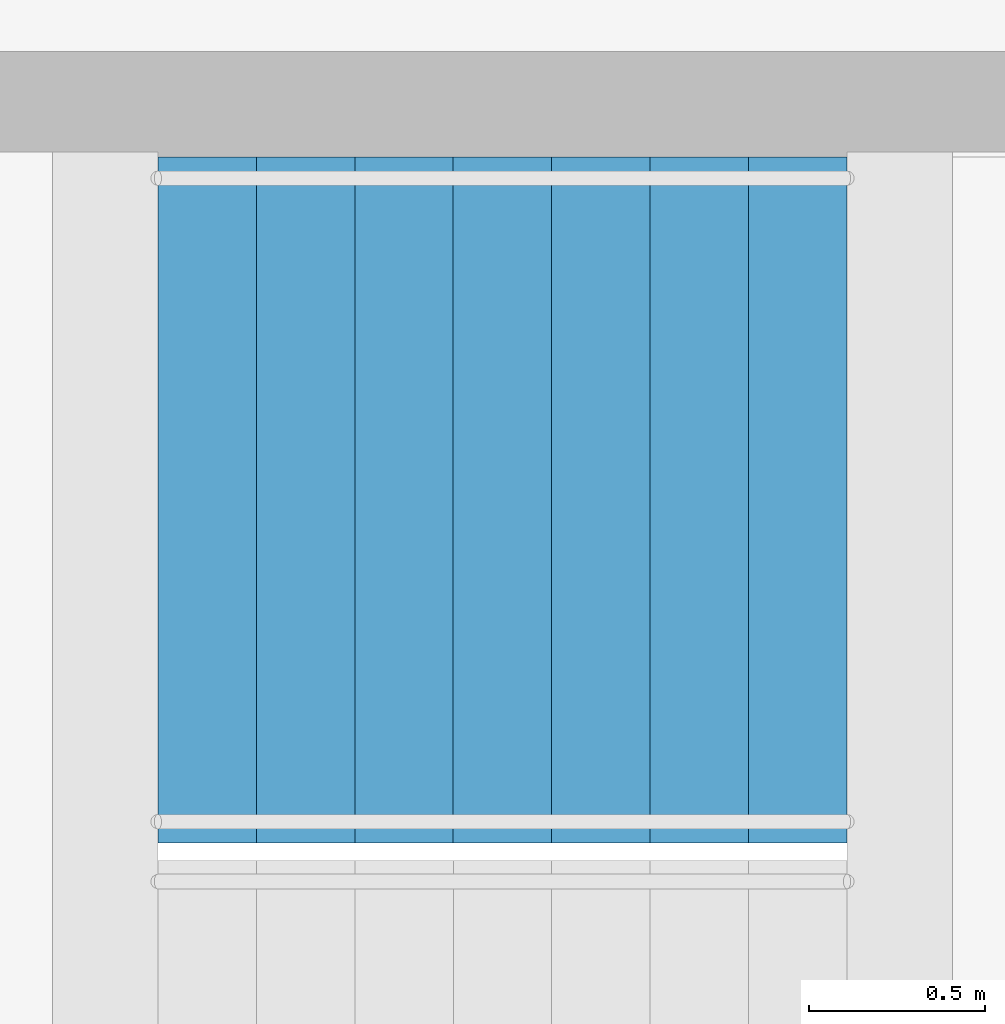
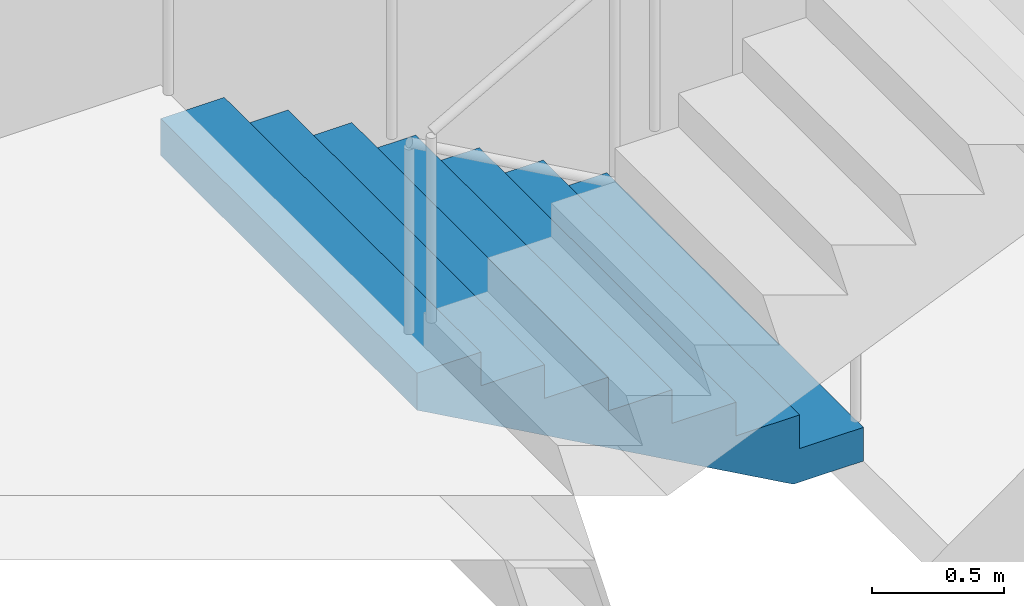
# One storey, part 24 of 26: 1 stair flight, 1 element without a shape of its own.
"""IFC4 building model written with IfcOpenShell, lengths in metres."""

from ifc_helpers import new_model, si_unit, direction, frame, origin, place, context, subcontext, project, spatial, triangles, material, type_object, element, aggregate, save


model = new_model("IFC4")

# Units and contexts
model_context = context("Model", 3, precision=1e-05, world=origin(), true_north=direction((0.0, 1.0)))
body_context = subcontext(model_context, "Body", "Model", "MODEL_VIEW")
ifc_project = project(units=[si_unit("LENGTHUNIT", "METRE"), si_unit("AREAUNIT", "SQUARE_METRE"), si_unit("VOLUMEUNIT", "CUBIC_METRE"), si_unit("PLANEANGLEUNIT", "RADIAN"), si_unit("MASSUNIT", "GRAM", prefix="KILO")], contexts=[model_context])

# Site, building, storey
site_placement = place(None, origin())
site = spatial("IfcSite", under=ifc_project, at=site_placement, CompositionType="ELEMENT")
building_placement = place(site_placement, origin())
building = spatial("IfcBuilding", under=site, at=building_placement, Name="Orbita Commons", CompositionType="ELEMENT")
storey_placement = place(building_placement, frame((0.0, 0.0, 11.0)))
storey = spatial("IfcBuildingStorey", under=building, at=storey_placement, Name="L02", CompositionType="ELEMENT", Elevation=11.0)

# Stair, stair flight
ifc_material_1 = material(Name="Precast concrete C40/50", Category="concrete")
stair_type = type_object("IfcStairType", Name="Exit stair S2 4 flights 8 risers 156", PredefinedType="HALF_TURN_STAIR", material=ifc_material_1)
stair_placement = place(storey_placement, origin())
stair = element("IfcStair", 1, at=stair_placement, inside=storey, type_object=stair_type, Name="Exit stair S2 L02", PredefinedType="HALF_TURN_STAIR")
ifc_material_2 = material(Name="Precast concrete C40/50", Category="concrete")
stair_flight_type = type_object("IfcStairFlightType", Name="Stair flight 8 risers 156 x 280", PredefinedType="STRAIGHT", material=ifc_material_2)
stair_flight_placement = place(storey_placement, frame((63.550048828125, 29.27490234375, 0.0), z_axis=(0.0, 0.0, 1.0), x_axis=(-1.0, 0.0, 0.0)))
stair_flight = element("IfcStairFlight", 2, at=stair_flight_placement, type_object=stair_flight_type, Name="S2 flight 1", NumberOfRisers=8, NumberOfTreads=7, PredefinedType="STRAIGHT", RiserHeight=0.15625, TreadLength=0.28, context=body_context, shape_type="Tessellation", body=[
    triangles([(0.0, 0.974976, 0.0), (0.0, 0.974976, 0.019531), (0.0, 0.81248, 0.019531), (0.0, 0.81248, 0.0), (0.0, 0.649984, 0.019531), (0.0, 0.649984, 0.0), (0.0, 0.487488, 0.019531), (0.0, 0.487488, 0.0), (0.0, 0.324992, 0.019531), (0.0, 0.324992, 0.0), (0.0, 0.162496, 0.019531), (0.0, 0.162496, 0.0), (0.0, 0.0, 0.019531), (0.0, 0.0, 0.0), (0.0, -0.162496, 0.019531), (0.0, -0.162496, 0.0), (0.0, -0.324992, 0.019531), (0.0, -0.324992, 0.0), (0.0, -0.487488, 0.019531), (0.0, -0.487488, 0.0), (0.0, -0.649984, 0.019531), (0.0, -0.649984, 0.0), (0.0, -0.81248, 0.019531), (0.0, -0.81248, 0.0), (0.0, -0.974976, 0.019531), (0.0, -0.974976, 0.0), (0.0, 0.974976, 0.039062), (0.0, 0.81248, 0.039062), (0.0, 0.649984, 0.039062), (0.0, 0.487488, 0.039062), (0.0, 0.324992, 0.039062), (0.0, 0.162496, 0.039062), (0.0, 0.0, 0.039062), (0.0, -0.162496, 0.039062), (0.0, -0.324992, 0.039062), (0.0, -0.487488, 0.039062), (0.0, -0.649984, 0.039062), (0.0, -0.81248, 0.039062), (0.0, -0.974976, 0.039062), (0.0, 0.974976, 0.058594), (0.0, 0.81248, 0.058594), (0.0, 0.649984, 0.058594), (0.0, 0.487488, 0.058594), (0.0, 0.324992, 0.058594), (0.0, 0.162496, 0.058594), (0.0, 0.0, 0.058594), (0.0, -0.162496, 0.058594), (0.0, -0.324992, 0.058594), (0.0, -0.487488, 0.058594), (0.0, -0.649984, 0.058594), (0.0, -0.81248, 0.058594), (0.0, -0.974976, 0.058594), (0.0, 0.974976, 0.078125), (0.0, 0.81248, 0.078125), (0.0, 0.649984, 0.078125), (0.0, 0.487488, 0.078125), (0.0, 0.324992, 0.078125), (0.0, 0.162496, 0.078125), (0.0, 0.0, 0.078125), (0.0, -0.162496, 0.078125), (0.0, -0.324992, 0.078125), (0.0, -0.487488, 0.078125), (0.0, -0.649984, 0.078125), (0.0, -0.81248, 0.078125), (0.0, -0.974976, 0.078125), (0.0, 0.974976, 0.097656), (0.0, 0.81248, 0.097656), (0.0, 0.649984, 0.097656), (0.0, 0.487488, 0.097656), (0.0, 0.324992, 0.097656), (0.0, 0.162496, 0.097656), (0.0, 0.0, 0.097656), (0.0, -0.162496, 0.097656), (0.0, -0.324992, 0.097656), (0.0, -0.487488, 0.097656), (0.0, -0.649984, 0.097656), (0.0, -0.81248, 0.097656), (0.0, -0.974976, 0.097656), (0.0, 0.974976, 0.117188), (0.0, 0.81248, 0.117188), (0.0, 0.649984, 0.117188), (0.0, 0.487488, 0.117188), (0.0, 0.324992, 0.117188), (0.0, 0.162496, 0.117188), (0.0, 0.0, 0.117188), (0.0, -0.162496, 0.117188), (0.0, -0.324992, 0.117188), (0.0, -0.487488, 0.117188), (0.0, -0.649984, 0.117188), (0.0, -0.81248, 0.117188), (0.0, -0.974976, 0.117188), (0.0, 0.974976, 0.136719), (0.0, 0.81248, 0.136719), (0.0, 0.649984, 0.136719), (0.0, 0.487488, 0.136719), (0.0, 0.324992, 0.136719), (0.0, 0.162496, 0.136719), (0.0, 0.0, 0.136719), (0.0, -0.162496, 0.136719), (0.0, -0.324992, 0.136719), (0.0, -0.487488, 0.136719), (0.0, -0.649984, 0.136719), (0.0, -0.81248, 0.136719), (0.0, -0.974976, 0.136719), (0.0, 0.974976, 0.15625), (0.0, 0.81248, 0.15625), (0.0, 0.649984, 0.15625), (0.0, 0.487488, 0.15625), (0.0, 0.324992, 0.15625), (0.0, 0.162496, 0.15625), (0.0, 0.0, 0.15625), (0.0, -0.162496, 0.15625), (0.0, -0.324992, 0.15625), (0.0, -0.487488, 0.15625), (0.0, -0.649984, 0.15625), (0.0, -0.81248, 0.15625), (0.0, -0.974976, 0.15625), (0.28, 0.974976, 0.15625), (0.28, 0.81248, 0.15625), (0.28, 0.649984, 0.15625), (0.28, 0.487488, 0.15625), (0.28, 0.324992, 0.15625), (0.28, 0.162496, 0.15625), (0.28, 0.0, 0.15625), (0.28, -0.162496, 0.15625), (0.28, -0.324992, 0.15625), (0.28, -0.487488, 0.15625), (0.28, -0.649984, 0.15625), (0.28, -0.81248, 0.15625), (0.28, -0.974976, 0.15625), (0.28, 0.974976, 0.3125), (0.28, 0.81248, 0.3125), (0.28, 0.649984, 0.3125), (0.28, 0.487488, 0.3125), (0.28, 0.324992, 0.3125), (0.28, 0.162496, 0.3125), (0.28, 0.0, 0.3125), (0.28, -0.162496, 0.3125), (0.28, -0.324992, 0.3125), (0.28, -0.487488, 0.3125), (0.28, -0.649984, 0.3125), (0.28, -0.81248, 0.3125), (0.28, -0.974976, 0.3125), (0.56, 0.974976, 0.3125), (0.56, 0.81248, 0.3125), (0.56, 0.649984, 0.3125), (0.56, 0.487488, 0.3125), (0.56, 0.324992, 0.3125), (0.56, 0.162496, 0.3125), (0.56, 0.0, 0.3125), (0.56, -0.162496, 0.3125), (0.56, -0.324992, 0.3125), (0.56, -0.487488, 0.3125), (0.56, -0.649984, 0.3125), (0.56, -0.81248, 0.3125), (0.56, -0.974976, 0.3125), (0.56, 0.974976, 0.46875), (0.56, 0.81248, 0.46875), (0.56, 0.649984, 0.46875), (0.56, 0.487488, 0.46875), (0.56, 0.324992, 0.46875), (0.56, 0.162496, 0.46875), (0.56, 0.0, 0.46875), (0.56, -0.162496, 0.46875), (0.56, -0.324992, 0.46875), (0.56, -0.487488, 0.46875), (0.56, -0.649984, 0.46875), (0.56, -0.81248, 0.46875), (0.56, -0.974976, 0.46875), (0.84, 0.974976, 0.46875), (0.84, 0.81248, 0.46875), (0.84, 0.649984, 0.46875), (0.84, 0.487488, 0.46875), (0.84, 0.324992, 0.46875), (0.84, 0.162496, 0.46875), (0.84, 0.0, 0.46875), (0.84, -0.162496, 0.46875), (0.84, -0.324992, 0.46875), (0.84, -0.487488, 0.46875), (0.84, -0.649984, 0.46875), (0.84, -0.81248, 0.46875), (0.84, -0.974976, 0.46875), (0.84, 0.974976, 0.625), (0.84, 0.81248, 0.625), (0.84, 0.649984, 0.625), (0.84, 0.487488, 0.625), (0.84, 0.324992, 0.625), (0.84, 0.162496, 0.625), (0.84, 0.0, 0.625), (0.84, -0.162496, 0.625), (0.84, -0.324992, 0.625), (0.84, -0.487488, 0.625), (0.84, -0.649984, 0.625), (0.84, -0.81248, 0.625), (0.84, -0.974976, 0.625), (1.12, 0.974976, 0.625), (1.12, 0.81248, 0.625), (1.12, 0.649984, 0.625), (1.12, 0.487488, 0.625), (1.12, 0.324992, 0.625), (1.12, 0.162496, 0.625), (1.12, 0.0, 0.625), (1.12, -0.162496, 0.625), (1.12, -0.324992, 0.625), (1.12, -0.487488, 0.625), (1.12, -0.649984, 0.625), (1.12, -0.81248, 0.625), (1.12, -0.974976, 0.625), (1.12, 0.974976, 0.78125), (1.12, 0.81248, 0.78125), (1.12, 0.649984, 0.78125), (1.12, 0.487488, 0.78125), (1.12, 0.324992, 0.78125), (1.12, 0.162496, 0.78125), (1.12, 0.0, 0.78125), (1.12, -0.162496, 0.78125), (1.12, -0.324992, 0.78125), (1.12, -0.487488, 0.78125), (1.12, -0.649984, 0.78125), (1.12, -0.81248, 0.78125), (1.12, -0.974976, 0.78125), (1.4, 0.974976, 0.78125), (1.4, 0.81248, 0.78125), (1.4, 0.649984, 0.78125), (1.4, 0.487488, 0.78125), (1.4, 0.324992, 0.78125), (1.4, 0.162496, 0.78125), (1.4, 0.0, 0.78125), (1.4, -0.162496, 0.78125), (1.4, -0.324992, 0.78125), (1.4, -0.487488, 0.78125), (1.4, -0.649984, 0.78125), (1.4, -0.81248, 0.78125), (1.4, -0.974976, 0.78125), (1.4, 0.974976, 0.9375), (1.4, 0.81248, 0.9375), (1.4, 0.649984, 0.9375), (1.4, 0.487488, 0.9375), (1.4, 0.324992, 0.9375), (1.4, 0.162496, 0.9375), (1.4, 0.0, 0.9375), (1.4, -0.162496, 0.9375), (1.4, -0.324992, 0.9375), (1.4, -0.487488, 0.9375), (1.4, -0.649984, 0.9375), (1.4, -0.81248, 0.9375), (1.4, -0.974976, 0.9375), (1.68, 0.974976, 0.9375), (1.68, 0.81248, 0.9375), (1.68, 0.649984, 0.9375), (1.68, 0.487488, 0.9375), (1.68, 0.324992, 0.9375), (1.68, 0.162496, 0.9375), (1.68, 0.0, 0.9375), (1.68, -0.162496, 0.9375), (1.68, -0.324992, 0.9375), (1.68, -0.487488, 0.9375), (1.68, -0.649984, 0.9375), (1.68, -0.81248, 0.9375), (1.68, -0.974976, 0.9375), (1.68, 0.974976, 1.09375), (1.68, 0.81248, 1.09375), (1.68, 0.649984, 1.09375), (1.68, 0.487488, 1.09375), (1.68, 0.324992, 1.09375), (1.68, 0.162496, 1.09375), (1.68, 0.0, 1.09375), (1.68, -0.162496, 1.09375), (1.68, -0.324992, 1.09375), (1.68, -0.487488, 1.09375), (1.68, -0.649984, 1.09375), (1.68, -0.81248, 1.09375), (1.68, -0.974976, 1.09375), (1.96, 0.974976, 1.09375), (1.96, 0.81248, 1.09375), (1.96, 0.649984, 1.09375), (1.96, 0.487488, 1.09375), (1.96, 0.324992, 1.09375), (1.96, 0.162496, 1.09375), (1.96, 0.0, 1.09375), (1.96, -0.162496, 1.09375), (1.96, -0.324992, 1.09375), (1.96, -0.487488, 1.09375), (1.96, -0.649984, 1.09375), (1.96, -0.81248, 1.09375), (1.96, -0.974976, 1.09375), (1.96, 0.974976, 1.072292), (1.96, 0.81248, 1.072292), (1.96, 0.649984, 1.072292), (1.96, 0.487488, 1.072292), (1.96, 0.324992, 1.072292), (1.96, 0.162496, 1.072292), (1.96, 0.0, 1.072292), (1.96, -0.162496, 1.072292), (1.96, -0.324992, 1.072292), (1.96, -0.487488, 1.072292), (1.96, -0.649984, 1.072292), (1.96, -0.81248, 1.072292), (1.96, -0.974976, 1.072292), (1.96, 0.974976, 1.050834), (1.96, 0.81248, 1.050834), (1.96, 0.649984, 1.050834), (1.96, 0.487488, 1.050834), (1.96, 0.324992, 1.050834), (1.96, 0.162496, 1.050834), (1.96, 0.0, 1.050834), (1.96, -0.162496, 1.050834), (1.96, -0.324992, 1.050834), (1.96, -0.487488, 1.050834), (1.96, -0.649984, 1.050834), (1.96, -0.81248, 1.050834), (1.96, -0.974976, 1.050834), (1.96, 0.974976, 1.029376), (1.96, 0.81248, 1.029376), (1.96, 0.649984, 1.029376), (1.96, 0.487488, 1.029376), (1.96, 0.324992, 1.029376), (1.96, 0.162496, 1.029376), (1.96, 0.0, 1.029376), (1.96, -0.162496, 1.029376), (1.96, -0.324992, 1.029376), (1.96, -0.487488, 1.029376), (1.96, -0.649984, 1.029376), (1.96, -0.81248, 1.029376), (1.96, -0.974976, 1.029376), (1.96, 0.974976, 1.007919), (1.96, 0.81248, 1.007919), (1.96, 0.649984, 1.007919), (1.96, 0.487488, 1.007919), (1.96, 0.324992, 1.007919), (1.96, 0.162496, 1.007919), (1.96, 0.0, 1.007919), (1.96, -0.162496, 1.007919), (1.96, -0.324992, 1.007919), (1.96, -0.487488, 1.007919), (1.96, -0.649984, 1.007919), (1.96, -0.81248, 1.007919), (1.96, -0.974976, 1.007919), (1.96, 0.974976, 0.986461), (1.96, 0.81248, 0.986461), (1.96, 0.649984, 0.986461), (1.96, 0.487488, 0.986461), (1.96, 0.324992, 0.986461), (1.96, 0.162496, 0.986461), (1.96, 0.0, 0.986461), (1.96, -0.162496, 0.986461), (1.96, -0.324992, 0.986461), (1.96, -0.487488, 0.986461), (1.96, -0.649984, 0.986461), (1.96, -0.81248, 0.986461), (1.96, -0.974976, 0.986461), (1.96, 0.974976, 0.965003), (1.96, 0.81248, 0.965003), (1.96, 0.649984, 0.965003), (1.96, 0.487488, 0.965003), (1.96, 0.324992, 0.965003), (1.96, 0.162496, 0.965003), (1.96, 0.0, 0.965003), (1.96, -0.162496, 0.965003), (1.96, -0.324992, 0.965003), (1.96, -0.487488, 0.965003), (1.96, -0.649984, 0.965003), (1.96, -0.81248, 0.965003), (1.96, -0.974976, 0.965003), (1.96, 0.974976, 0.943545), (1.96, 0.81248, 0.943545), (1.96, 0.649984, 0.943545), (1.96, 0.487488, 0.943545), (1.96, 0.324992, 0.943545), (1.96, 0.162496, 0.943545), (1.96, 0.0, 0.943545), (1.96, -0.162496, 0.943545), (1.96, -0.324992, 0.943545), (1.96, -0.487488, 0.943545), (1.96, -0.649984, 0.943545), (1.96, -0.81248, 0.943545), (1.96, -0.974976, 0.943545), (1.96, 0.974976, 0.922087), (1.96, 0.81248, 0.922087), (1.96, 0.649984, 0.922087), (1.96, 0.487488, 0.922087), (1.96, 0.324992, 0.922087), (1.96, 0.162496, 0.922087), (1.96, 0.0, 0.922087), (1.96, -0.162496, 0.922087), (1.96, -0.324992, 0.922087), (1.96, -0.487488, 0.922087), (1.96, -0.649984, 0.922087), (1.96, -0.81248, 0.922087), (1.96, -0.974976, 0.922087), (0.30762, 0.974976, 0.0), (0.30762, 0.81248, 0.0), (0.30762, 0.649984, 0.0), (0.30762, 0.487488, 0.0), (0.30762, 0.324992, 0.0), (0.30762, 0.162496, 0.0), (0.30762, 0.0, 0.0), (0.30762, -0.162496, 0.0), (0.30762, -0.324992, 0.0), (0.30762, -0.487488, 0.0), (0.30762, -0.649984, 0.0), (0.30762, -0.81248, 0.0), (0.30762, -0.974976, 0.0)], [[3, 2, 1], [4, 3, 1], [5, 3, 4], [6, 5, 4], [7, 5, 6], [8, 7, 6], [9, 7, 8], [10, 9, 8], [11, 9, 10], [12, 11, 10], [13, 11, 12], [14, 13, 12], [15, 13, 14], [16, 15, 14], [17, 15, 16], [18, 17, 16], [19, 17, 18], [20, 19, 18], [21, 19, 20], [22, 21, 20], [23, 21, 22], [24, 23, 22], [25, 23, 24], [26, 25, 24], [28, 27, 2], [3, 28, 2], [29, 28, 3], [5, 29, 3], [30, 29, 5], [7, 30, 5], [31, 30, 7], [9, 31, 7], [32, 31, 9], [11, 32, 9], [33, 32, 11], [13, 33, 11], [34, 33, 13], [15, 34, 13], [35, 34, 15], [17, 35, 15], [36, 35, 17], [19, 36, 17], [37, 36, 19], [21, 37, 19], [38, 37, 21], [23, 38, 21], [39, 38, 23], [25, 39, 23], [41, 40, 27], [28, 41, 27], [42, 41, 28], [29, 42, 28], [43, 42, 29], [30, 43, 29], [44, 43, 30], [31, 44, 30], [45, 44, 31], [32, 45, 31], [46, 45, 32], [33, 46, 32], [47, 46, 33], [34, 47, 33], [48, 47, 34], [35, 48, 34], [49, 48, 35], [36, 49, 35], [50, 49, 36], [37, 50, 36], [51, 50, 37], [38, 51, 37], [52, 51, 38], [39, 52, 38], [54, 53, 40], [41, 54, 40], [55, 54, 41], [42, 55, 41], [56, 55, 42], [43, 56, 42], [57, 56, 43], [44, 57, 43], [58, 57, 44], [45, 58, 44], [59, 58, 45], [46, 59, 45], [60, 59, 46], [47, 60, 46], [61, 60, 47], [48, 61, 47], [62, 61, 48], [49, 62, 48], [63, 62, 49], [50, 63, 49], [64, 63, 50], [51, 64, 50], [65, 64, 51], [52, 65, 51], [67, 66, 53], [54, 67, 53], [68, 67, 54], [55, 68, 54], [69, 68, 55], [56, 69, 55], [70, 69, 56], [57, 70, 56], [71, 70, 57], [58, 71, 57], [72, 71, 58], [59, 72, 58], [73, 72, 59], [60, 73, 59], [74, 73, 60], [61, 74, 60], [75, 74, 61], [62, 75, 61], [76, 75, 62], [63, 76, 62], [77, 76, 63], [64, 77, 63], [78, 77, 64], [65, 78, 64], [80, 79, 66], [67, 80, 66], [81, 80, 67], [68, 81, 67], [82, 81, 68], [69, 82, 68], [83, 82, 69], [70, 83, 69], [84, 83, 70], [71, 84, 70], [85, 84, 71], [72, 85, 71], [86, 85, 72], [73, 86, 72], [87, 86, 73], [74, 87, 73], [88, 87, 74], [75, 88, 74], [89, 88, 75], [76, 89, 75], [90, 89, 76], [77, 90, 76], [91, 90, 77], [78, 91, 77], [93, 92, 79], [80, 93, 79], [94, 93, 80], [81, 94, 80], [95, 94, 81], [82, 95, 81], [96, 95, 82], [83, 96, 82], [97, 96, 83], [84, 97, 83], [98, 97, 84], [85, 98, 84], [99, 98, 85], [86, 99, 85], [100, 99, 86], [87, 100, 86], [101, 100, 87], [88, 101, 87], [102, 101, 88], [89, 102, 88], [103, 102, 89], [90, 103, 89], [104, 103, 90], [91, 104, 90], [106, 105, 92], [93, 106, 92], [107, 106, 93], [94, 107, 93], [108, 107, 94], [95, 108, 94], [109, 108, 95], [96, 109, 95], [110, 109, 96], [97, 110, 96], [111, 110, 97], [98, 111, 97], [112, 111, 98], [99, 112, 98], [113, 112, 99], [100, 113, 99], [114, 113, 100], [101, 114, 100], [115, 114, 101], [102, 115, 101], [116, 115, 102], [103, 116, 102], [117, 116, 103], [104, 117, 103], [119, 118, 105], [106, 119, 105], [120, 119, 106], [107, 120, 106], [121, 120, 107], [108, 121, 107], [122, 121, 108], [109, 122, 108], [123, 122, 109], [110, 123, 109], [124, 123, 110], [111, 124, 110], [125, 124, 111], [112, 125, 111], [126, 125, 112], [113, 126, 112], [127, 126, 113], [114, 127, 113], [128, 127, 114], [115, 128, 114], [129, 128, 115], [116, 129, 115], [130, 129, 116], [117, 130, 116], [132, 131, 118], [119, 132, 118], [133, 132, 119], [120, 133, 119], [134, 133, 120], [121, 134, 120], [135, 134, 121], [122, 135, 121], [136, 135, 122], [123, 136, 122], [137, 136, 123], [124, 137, 123], [138, 137, 124], [125, 138, 124], [139, 138, 125], [126, 139, 125], [140, 139, 126], [127, 140, 126], [141, 140, 127], [128, 141, 127], [142, 141, 128], [129, 142, 128], [143, 142, 129], [130, 143, 129], [145, 144, 131], [132, 145, 131], [146, 145, 132], [133, 146, 132], [147, 146, 133], [134, 147, 133], [148, 147, 134], [135, 148, 134], [149, 148, 135], [136, 149, 135], [150, 149, 136], [137, 150, 136], [151, 150, 137], [138, 151, 137], [152, 151, 138], [139, 152, 138], [153, 152, 139], [140, 153, 139], [154, 153, 140], [141, 154, 140], [155, 154, 141], [142, 155, 141], [156, 155, 142], [143, 156, 142], [158, 157, 144], [145, 158, 144], [159, 158, 145], [146, 159, 145], [160, 159, 146], [147, 160, 146], [161, 160, 147], [148, 161, 147], [162, 161, 148], [149, 162, 148], [163, 162, 149], [150, 163, 149], [164, 163, 150], [151, 164, 150], [165, 164, 151], [152, 165, 151], [166, 165, 152], [153, 166, 152], [167, 166, 153], [154, 167, 153], [168, 167, 154], [155, 168, 154], [169, 168, 155], [156, 169, 155], [171, 170, 157], [158, 171, 157], [172, 171, 158], [159, 172, 158], [173, 172, 159], [160, 173, 159], [174, 173, 160], [161, 174, 160], [175, 174, 161], [162, 175, 161], [176, 175, 162], [163, 176, 162], [177, 176, 163], [164, 177, 163], [178, 177, 164], [165, 178, 164], [179, 178, 165], [166, 179, 165], [180, 179, 166], [167, 180, 166], [181, 180, 167], [168, 181, 167], [182, 181, 168], [169, 182, 168], [184, 183, 170], [171, 184, 170], [185, 184, 171], [172, 185, 171], [186, 185, 172], [173, 186, 172], [187, 186, 173], [174, 187, 173], [188, 187, 174], [175, 188, 174], [189, 188, 175], [176, 189, 175], [190, 189, 176], [177, 190, 176], [191, 190, 177], [178, 191, 177], [192, 191, 178], [179, 192, 178], [193, 192, 179], [180, 193, 179], [194, 193, 180], [181, 194, 180], [195, 194, 181], [182, 195, 181], [197, 196, 183], [184, 197, 183], [198, 197, 184], [185, 198, 184], [199, 198, 185], [186, 199, 185], [200, 199, 186], [187, 200, 186], [201, 200, 187], [188, 201, 187], [202, 201, 188], [189, 202, 188], [203, 202, 189], [190, 203, 189], [204, 203, 190], [191, 204, 190], [205, 204, 191], [192, 205, 191], [206, 205, 192], [193, 206, 192], [207, 206, 193], [194, 207, 193], [208, 207, 194], [195, 208, 194], [210, 209, 196], [197, 210, 196], [211, 210, 197], [198, 211, 197], [212, 211, 198], [199, 212, 198], [213, 212, 199], [200, 213, 199], [214, 213, 200], [201, 214, 200], [215, 214, 201], [202, 215, 201], [216, 215, 202], [203, 216, 202], [217, 216, 203], [204, 217, 203], [218, 217, 204], [205, 218, 204], [219, 218, 205], [206, 219, 205], [220, 219, 206], [207, 220, 206], [221, 220, 207], [208, 221, 207], [223, 222, 209], [210, 223, 209], [224, 223, 210], [211, 224, 210], [225, 224, 211], [212, 225, 211], [226, 225, 212], [213, 226, 212], [227, 226, 213], [214, 227, 213], [228, 227, 214], [215, 228, 214], [229, 228, 215], [216, 229, 215], [230, 229, 216], [217, 230, 216], [231, 230, 217], [218, 231, 217], [232, 231, 218], [219, 232, 218], [233, 232, 219], [220, 233, 219], [234, 233, 220], [221, 234, 220], [236, 235, 222], [223, 236, 222], [237, 236, 223], [224, 237, 223], [238, 237, 224], [225, 238, 224], [239, 238, 225], [226, 239, 225], [240, 239, 226], [227, 240, 226], [241, 240, 227], [228, 241, 227], [242, 241, 228], [229, 242, 228], [243, 242, 229], [230, 243, 229], [244, 243, 230], [231, 244, 230], [245, 244, 231], [232, 245, 231], [246, 245, 232], [233, 246, 232], [247, 246, 233], [234, 247, 233], [249, 248, 235], [236, 249, 235], [250, 249, 236], [237, 250, 236], [251, 250, 237], [238, 251, 237], [252, 251, 238], [239, 252, 238], [253, 252, 239], [240, 253, 239], [254, 253, 240], [241, 254, 240], [255, 254, 241], [242, 255, 241], [256, 255, 242], [243, 256, 242], [257, 256, 243], [244, 257, 243], [258, 257, 244], [245, 258, 244], [259, 258, 245], [246, 259, 245], [260, 259, 246], [247, 260, 246], [262, 261, 248], [249, 262, 248], [263, 262, 249], [250, 263, 249], [264, 263, 250], [251, 264, 250], [265, 264, 251], [252, 265, 251], [266, 265, 252], [253, 266, 252], [267, 266, 253], [254, 267, 253], [268, 267, 254], [255, 268, 254], [269, 268, 255], [256, 269, 255], [270, 269, 256], [257, 270, 256], [271, 270, 257], [258, 271, 257], [272, 271, 258], [259, 272, 258], [273, 272, 259], [260, 273, 259], [275, 274, 261], [262, 275, 261], [276, 275, 262], [263, 276, 262], [277, 276, 263], [264, 277, 263], [278, 277, 264], [265, 278, 264], [279, 278, 265], [266, 279, 265], [280, 279, 266], [267, 280, 266], [281, 280, 267], [268, 281, 267], [282, 281, 268], [269, 282, 268], [283, 282, 269], [270, 283, 269], [284, 283, 270], [271, 284, 270], [285, 284, 271], [272, 285, 271], [286, 285, 272], [273, 286, 272], [288, 287, 274], [275, 288, 274], [289, 288, 275], [276, 289, 275], [290, 289, 276], [277, 290, 276], [291, 290, 277], [278, 291, 277], [292, 291, 278], [279, 292, 278], [293, 292, 279], [280, 293, 279], [294, 293, 280], [281, 294, 280], [295, 294, 281], [282, 295, 281], [296, 295, 282], [283, 296, 282], [297, 296, 283], [284, 297, 283], [298, 297, 284], [285, 298, 284], [299, 298, 285], [286, 299, 285], [301, 300, 287], [288, 301, 287], [302, 301, 288], [289, 302, 288], [303, 302, 289], [290, 303, 289], [304, 303, 290], [291, 304, 290], [305, 304, 291], [292, 305, 291], [306, 305, 292], [293, 306, 292], [307, 306, 293], [294, 307, 293], [308, 307, 294], [295, 308, 294], [309, 308, 295], [296, 309, 295], [310, 309, 296], [297, 310, 296], [311, 310, 297], [298, 311, 297], [312, 311, 298], [299, 312, 298], [314, 313, 300], [301, 314, 300], [315, 314, 301], [302, 315, 301], [316, 315, 302], [303, 316, 302], [317, 316, 303], [304, 317, 303], [318, 317, 304], [305, 318, 304], [319, 318, 305], [306, 319, 305], [320, 319, 306], [307, 320, 306], [321, 320, 307], [308, 321, 307], [322, 321, 308], [309, 322, 308], [323, 322, 309], [310, 323, 309], [324, 323, 310], [311, 324, 310], [325, 324, 311], [312, 325, 311], [327, 326, 313], [314, 327, 313], [328, 327, 314], [315, 328, 314], [329, 328, 315], [316, 329, 315], [330, 329, 316], [317, 330, 316], [331, 330, 317], [318, 331, 317], [332, 331, 318], [319, 332, 318], [333, 332, 319], [320, 333, 319], [334, 333, 320], [321, 334, 320], [335, 334, 321], [322, 335, 321], [336, 335, 322], [323, 336, 322], [337, 336, 323], [324, 337, 323], [338, 337, 324], [325, 338, 324], [340, 339, 326], [327, 340, 326], [341, 340, 327], [328, 341, 327], [342, 341, 328], [329, 342, 328], [343, 342, 329], [330, 343, 329], [344, 343, 330], [331, 344, 330], [345, 344, 331], [332, 345, 331], [346, 345, 332], [333, 346, 332], [347, 346, 333], [334, 347, 333], [348, 347, 334], [335, 348, 334], [349, 348, 335], [336, 349, 335], [350, 349, 336], [337, 350, 336], [351, 350, 337], [338, 351, 337], [353, 352, 339], [340, 353, 339], [354, 353, 340], [341, 354, 340], [355, 354, 341], [342, 355, 341], [356, 355, 342], [343, 356, 342], [357, 356, 343], [344, 357, 343], [358, 357, 344], [345, 358, 344], [359, 358, 345], [346, 359, 345], [360, 359, 346], [347, 360, 346], [361, 360, 347], [348, 361, 347], [362, 361, 348], [349, 362, 348], [363, 362, 349], [350, 363, 349], [364, 363, 350], [351, 364, 350], [366, 365, 352], [353, 366, 352], [367, 366, 353], [354, 367, 353], [368, 367, 354], [355, 368, 354], [369, 368, 355], [356, 369, 355], [370, 369, 356], [357, 370, 356], [371, 370, 357], [358, 371, 357], [372, 371, 358], [359, 372, 358], [373, 372, 359], [360, 373, 359], [374, 373, 360], [361, 374, 360], [375, 374, 361], [362, 375, 361], [376, 375, 362], [363, 376, 362], [377, 376, 363], [364, 377, 363], [379, 378, 365], [366, 379, 365], [380, 379, 366], [367, 380, 366], [381, 380, 367], [368, 381, 367], [382, 381, 368], [369, 382, 368], [383, 382, 369], [370, 383, 369], [384, 383, 370], [371, 384, 370], [385, 384, 371], [372, 385, 371], [386, 385, 372], [373, 386, 372], [387, 386, 373], [374, 387, 373], [388, 387, 374], [375, 388, 374], [389, 388, 375], [376, 389, 375], [390, 389, 376], [377, 390, 376], [392, 391, 378], [379, 392, 378], [393, 392, 379], [380, 393, 379], [394, 393, 380], [381, 394, 380], [395, 394, 381], [382, 395, 381], [396, 395, 382], [383, 396, 382], [397, 396, 383], [384, 397, 383], [398, 397, 384], [385, 398, 384], [399, 398, 385], [386, 399, 385], [400, 399, 386], [387, 400, 386], [401, 400, 387], [388, 401, 387], [402, 401, 388], [389, 402, 388], [403, 402, 389], [390, 403, 389], [4, 1, 391], [392, 4, 391], [6, 4, 392], [393, 6, 392], [8, 6, 393], [394, 8, 393], [10, 8, 394], [395, 10, 394], [12, 10, 395], [396, 12, 395], [14, 12, 396], [397, 14, 396], [16, 14, 397], [398, 16, 397], [18, 16, 398], [399, 18, 398], [20, 18, 399], [400, 20, 399], [22, 20, 400], [401, 22, 400], [24, 22, 401], [402, 24, 401], [26, 24, 402], [403, 26, 402], [378, 391, 1], [26, 403, 390], [365, 378, 1], [26, 390, 377], [352, 365, 1], [26, 377, 364], [339, 352, 1], [26, 364, 351], [326, 339, 1], [26, 351, 338], [313, 326, 1], [26, 338, 325], [300, 313, 1], [26, 325, 312], [287, 300, 1], [26, 312, 299], [261, 274, 287], [299, 286, 273], [248, 261, 287], [299, 273, 260], [222, 235, 248], [260, 247, 234], [222, 248, 287], [299, 260, 234], [196, 209, 222], [234, 221, 208], [196, 222, 287], [299, 234, 208], [170, 183, 196], [208, 195, 182], [170, 196, 287], [299, 208, 182], [144, 157, 170], [182, 169, 156], [144, 170, 287], [299, 182, 156], [118, 131, 144], [156, 143, 130], [118, 144, 287], [299, 156, 130], [118, 287, 1], [26, 299, 130], [92, 105, 118], [130, 117, 104], [79, 92, 118], [130, 104, 91], [66, 79, 118], [130, 91, 78], [53, 66, 118], [130, 78, 65], [40, 53, 118], [130, 65, 52], [27, 40, 118], [130, 52, 39], [2, 27, 118], [130, 39, 25], [1, 2, 118], [130, 25, 26]], closed=True),
])
aggregate(stair, [stair_flight])

save(model, "model.ifc")
